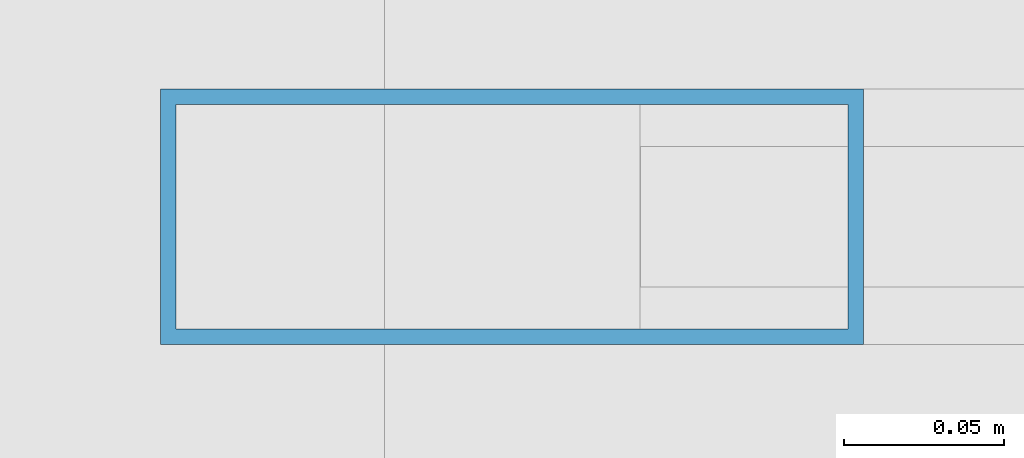
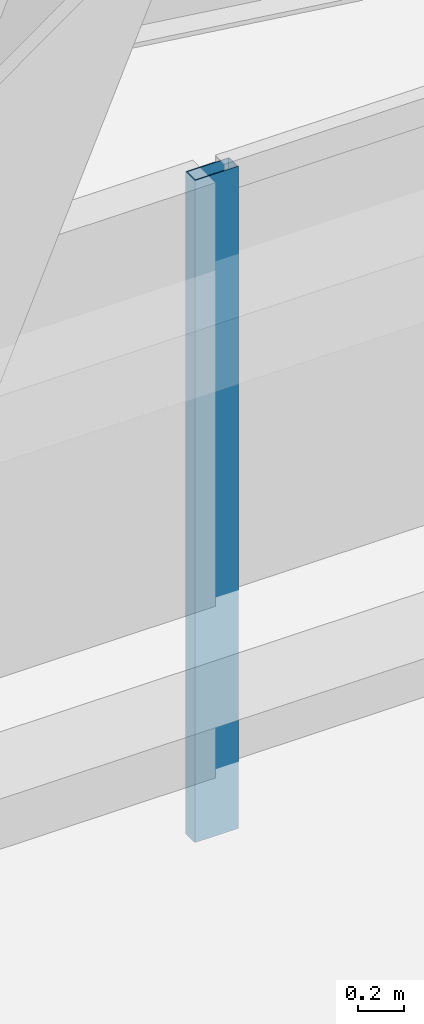
# One storey, part 3 of 67: 1 member, 1 element without a shape of its own.
"""IFC4 building model written with IfcOpenShell, lengths in metres."""

from ifc_helpers import new_model, si_unit, direction, frame, origin, origin_2d, place, context, subcontext, project, spatial, hollow_rectangle, extrude, material, material_profile, profile_set, type_object, element, aggregate, save


model = new_model("IFC4")

# Units and contexts
model_context = context("Model", 3, precision=1e-05, world=origin(), true_north=direction((0.0, 1.0)))
body_context = subcontext(model_context, "Body", "Model", "MODEL_VIEW")
ifc_project = project(units=[si_unit("LENGTHUNIT", "METRE"), si_unit("AREAUNIT", "SQUARE_METRE"), si_unit("VOLUMEUNIT", "CUBIC_METRE"), si_unit("PLANEANGLEUNIT", "RADIAN"), si_unit("MASSUNIT", "GRAM", prefix="KILO")], contexts=[model_context])

# Site, building, storey
site_placement = place(None, origin())
site = spatial("IfcSite", under=ifc_project, at=site_placement, CompositionType="ELEMENT")
building_placement = place(site_placement, origin())
building = spatial("IfcBuilding", under=site, at=building_placement, Name="Tashvorn Skyway Center", CompositionType="ELEMENT")
storey_placement = place(building_placement, frame((0.0, 0.0, 67.199951171875)))
storey = spatial("IfcBuildingStorey", under=building, at=storey_placement, Name="L17", CompositionType="ELEMENT", Elevation=67.199951171875)

# Curtain wall, member
ifc_material = material(Name="Thermally broken bronze-anodized aluminium 6063-T6", Category="aluminium")
curtain_wall_type = type_object("IfcCurtainWallType", Name="CW-CW-Z2", PredefinedType="NOTDEFINED", material=ifc_material)
curtain_wall_placement = place(storey_placement, origin())
curtain_wall = element("IfcCurtainWall", 1, at=curtain_wall_placement, inside=storey, type_object=curtain_wall_type, Name="Tower 1 L17 South Unitised Curtain Wall Glazing Group 3", PredefinedType="NOTDEFINED")
ifc_material_profile = material_profile(ifc_material, hollow_rectangle(XDim=0.080078125, YDim=0.219970703125, WallThickness=0.0048828125, at=origin_2d()), Name="ALU-MULL-80x220")
ifc_profile_set = profile_set([ifc_material_profile], Name="Thermally broken bronze-anodized aluminium 6063-T6")
member_type = type_object("IfcMemberType", Name="CWM-CW-Z2", PredefinedType="MULLION", material=ifc_profile_set)
member_placement = place(storey_placement, frame((26.889892578125, 11.02001953125, 0.0), z_axis=(0.0, 0.0, 1.0), x_axis=(0.0, -1.0, 0.0)))
member = element("IfcMember", 2, at=member_placement, type_object=member_type, Name="CW-Z2 mullion 3", PredefinedType="MULLION", context=body_context, shape_type="SweptSolid", body=[
    extrude(hollow_rectangle(XDim=0.080078125, YDim=0.219970703125, WallThickness=0.0048828125, at=origin_2d()), origin(), (0.0, 0.0, 1.0), 3.550048828125),
])
aggregate(curtain_wall, [member])

save(model, "model.ifc")
